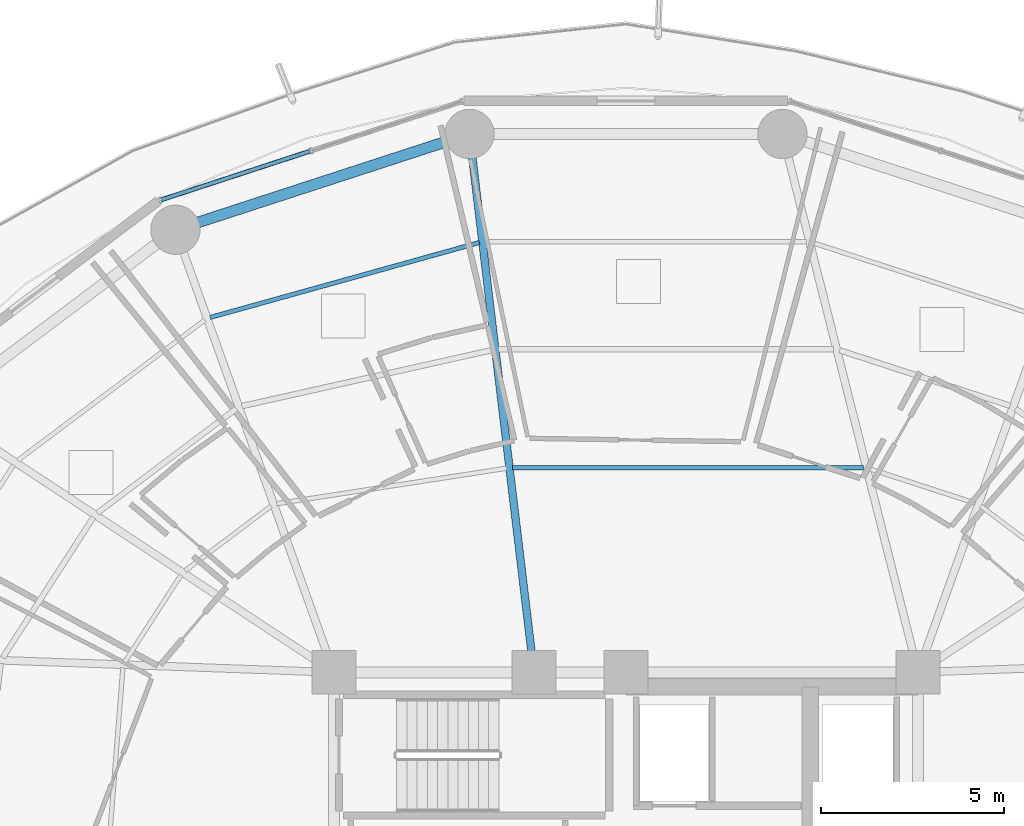
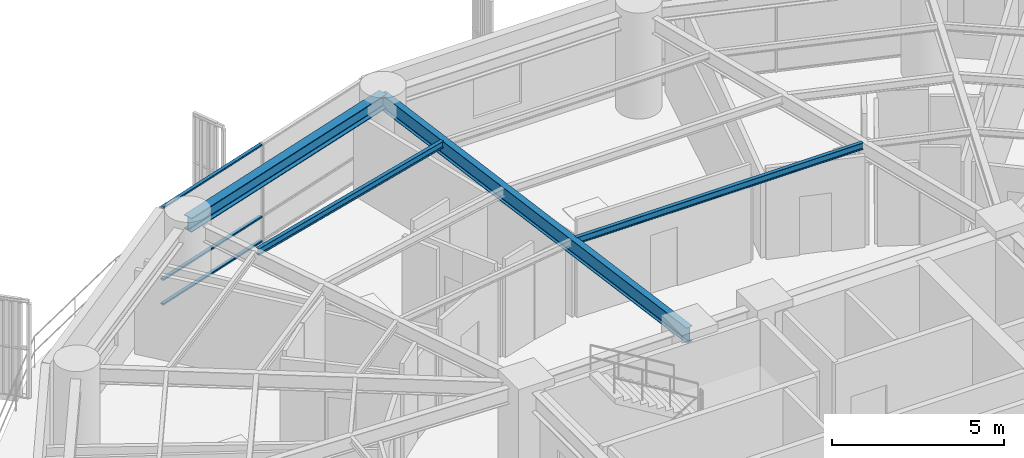
# One storey, part 21 of 36: 4 beams, 3 members, 1 element without a shape of its own.
"""IFC4 building model written with IfcOpenShell, lengths in metres."""

from ifc_helpers import new_model, si_unit, direction, frame, origin, origin_2d, place, context, subcontext, project, spatial, hollow_rectangle, i_section, extrude, material, layer, layer_set, material_profile, profile_set, type_object, element, aggregate, save


model = new_model("IFC4")

# Units and contexts
model_context = context("Model", 3, precision=1e-05, world=origin(), true_north=direction((0.0, 1.0)))
body_context = subcontext(model_context, "Body", "Model", "MODEL_VIEW")
ifc_project = project(units=[si_unit("LENGTHUNIT", "METRE"), si_unit("AREAUNIT", "SQUARE_METRE"), si_unit("VOLUMEUNIT", "CUBIC_METRE"), si_unit("PLANEANGLEUNIT", "RADIAN"), si_unit("MASSUNIT", "GRAM", prefix="KILO")], contexts=[model_context])

# Site, building, storey
site_placement = place(None, origin())
site = spatial("IfcSite", under=ifc_project, at=site_placement, CompositionType="ELEMENT")
building_placement = place(site_placement, origin())
building = spatial("IfcBuilding", under=site, at=building_placement, Name="Kelanora Arch Commons", CompositionType="ELEMENT")
storey_placement = place(building_placement, frame((0.0, 0.0, 102.60009765625)))
storey = spatial("IfcBuildingStorey", under=building, at=storey_placement, Name="L26", CompositionType="ELEMENT", Elevation=102.60009765625)

# Beams
ifc_material_1 = material(Name="Steel S355", Category="steel")
ifc_material_profile_1 = material_profile(ifc_material_1, i_section(OverallWidth=0.1201171875, OverallDepth=0.239990234375, WebThickness=0.006103515625, FlangeThickness=0.009765625, FilletRadius=0.014892578125, at=origin_2d()), Name="IPE240")
ifc_profile_set_1 = profile_set([ifc_material_profile_1], Name="Steel S355")
beam_type_1 = type_object("IfcBeamType", Name="BM-JST-02", PredefinedType="JOIST", material=ifc_profile_set_1)
beam_1_placement = place(storey_placement, frame((80.50341796875, 70.602783203125, 3.369873046875), z_axis=(-1.0, 0.0, 0.0), x_axis=(0.0, -1.0, 0.0)))
element("IfcBeam", 1, at=beam_1_placement, inside=storey, type_object=beam_type_1, Name="Secondary Chord Joist BJA-08 L26", PredefinedType="JOIST", context=body_context, shape_type="SweptSolid", body=[
    extrude(i_section(OverallWidth=0.1201171875, OverallDepth=0.239990234375, WebThickness=0.006103515625, FlangeThickness=0.009765625, FilletRadius=0.014892578125, at=origin_2d()), origin(), (0.0, 0.0, 1.0), 9.609375),
])
beam_2_placement = place(storey_placement, frame((69.985595703125, 76.77294921875, 3.369873046875), z_axis=(-0.963385760896, -0.268119144603, 0.0), x_axis=(0.268119144603, -0.963385760896, 0.0)))
element("IfcBeam", 2, at=beam_2_placement, inside=storey, type_object=beam_type_1, Name="Secondary Chord Joist BJC-10 L26", PredefinedType="JOIST", context=body_context, shape_type="SweptSolid", body=[
    extrude(i_section(OverallWidth=0.1201171875, OverallDepth=0.239990234375, WebThickness=0.006103515625, FlangeThickness=0.009765625, FilletRadius=0.014892578125, at=origin_2d()), origin(), (0.0, 0.0, 1.0), 7.656005859375),
])
ifc_material_profile_2 = material_profile(ifc_material_1, i_section(OverallWidth=0.2099609375, OverallDepth=0.550048828125, WebThickness=0.010986328125, FlangeThickness=0.01708984375, FilletRadius=0.02392578125, at=origin_2d()), Name="IPE550")
ifc_profile_set_2 = profile_set([ifc_material_profile_2], Name="Steel S355")
beam_type_2 = type_object("IfcBeamType", Name="BM-RAD-Z2", PredefinedType="BEAM", material=ifc_profile_set_2)
beam_3_placement = place(storey_placement, frame((71.47998046875, 65.0, 3.21484375), z_axis=(-0.118897572414, 0.992906524943, 0.0), x_axis=(-0.992906524943, -0.118897572414, 0.0)))
element("IfcBeam", 3, at=beam_3_placement, inside=storey, type_object=beam_type_2, Name="Radial Floor Girder BR-10 L26", PredefinedType="BEAM", context=body_context, shape_type="SweptSolid", body=[
    extrude(i_section(OverallWidth=0.2099609375, OverallDepth=0.550048828125, WebThickness=0.010986328125, FlangeThickness=0.01708984375, FilletRadius=0.02392578125, at=origin_2d()), origin(), (0.0, 0.0, 1.0), 14.849853515625),
])
ifc_material_profile_3 = material_profile(ifc_material_1, i_section(OverallWidth=0.300048828125, OverallDepth=0.5, WebThickness=0.014404296875, FlangeThickness=0.028076171875, FilletRadius=0.027099609375, at=origin_2d()), Name="HEB500")
ifc_profile_set_3 = profile_set([ifc_material_profile_3], Name="Steel S355")
beam_type_3 = type_object("IfcBeamType", Name="BM-SPN-Z2", PredefinedType="SPANDREL", material=ifc_profile_set_3)
beam_4_placement = place(storey_placement, frame((69.71435546875, 79.74462890625, 3.239990234375), z_axis=(-0.950856631974, -0.309631499418, 0.0), x_axis=(0.309631499418, -0.950856631974, 0.0)))
element("IfcBeam", 4, at=beam_4_placement, inside=storey, type_object=beam_type_3, Name="Perimeter Spandrel Beam BS-10 L26", PredefinedType="SPANDREL", context=body_context, shape_type="SweptSolid", body=[
    extrude(i_section(OverallWidth=0.300048828125, OverallDepth=0.5, WebThickness=0.014404296875, FlangeThickness=0.028076171875, FilletRadius=0.027099609375, at=origin_2d()), origin(), (0.0, 0.0, 1.0), 8.470703125),
])

# Curtain wall, members
ifc_material_2 = material(Name="Terracotta ceramic-fritted low-E glass and aluminium", Category="masonry")
ifc_layer = layer(ifc_material_2, 0.159912109375)
ifc_layer_set = layer_set([ifc_layer], Name="Terracotta ceramic-fritted low-E glass and aluminium")
curtain_wall_type = type_object("IfcCurtainWallType", Name="CW-SYS-01", PredefinedType="NOTDEFINED", material=ifc_layer_set)
curtain_wall_placement = place(storey_placement, origin())
curtain_wall = element("IfcCurtainWall", 5, at=curtain_wall_placement, inside=storey, type_object=curtain_wall_type, Name="Unitised Curtain Wall L26-B05", PredefinedType="NOTDEFINED")
ifc_material_3 = material(Name="Powder-coated aluminium terracotta", Category="masonry")
ifc_material_profile_4 = material_profile(ifc_material_3, hollow_rectangle(XDim=0.1201171875, YDim=0.06005859375, WallThickness=0.0048828125, InnerFilletRadius=0.0048828125, OuterFilletRadius=0.010009765625, at=origin_2d()), Name="CWT120x60")
ifc_profile_set_4 = profile_set([ifc_material_profile_4], Name="Powder-coated aluminium terracotta")
member_type = type_object("IfcMemberType", Name="CWT-STD", PredefinedType="USERDEFINED", material=ifc_profile_set_4)
member_1_placement = place(storey_placement, frame((65.348876953125, 79.275390625, 0.02978515625), z_axis=(-0.950466230394, -0.310827838008, 0.0), x_axis=(0.310827838008, -0.950466230394, 0.0)))
member_1 = element("IfcMember", 6, at=member_1_placement, type_object=member_type, Name="CW-01 transom 2.1", ObjectType="TRANSOM", PredefinedType="USERDEFINED", context=body_context, shape_type="SweptSolid", body=[
    extrude(hollow_rectangle(XDim=0.1201171875, YDim=0.06005859375, WallThickness=0.0048828125, InnerFilletRadius=0.0048828125, OuterFilletRadius=0.010009765625, at=origin_2d()), origin(), (0.0, 0.0, 1.0), 4.2900390625),
])
member_2_placement = place(storey_placement, frame((65.348876953125, 79.275390625, 0.89990234375), z_axis=(-0.950466230394, -0.310827838008, 0.0), x_axis=(0.310827838008, -0.950466230394, 0.0)))
member_2 = element("IfcMember", 7, at=member_2_placement, type_object=member_type, Name="CW-01 transom 2.2", ObjectType="TRANSOM", PredefinedType="USERDEFINED", context=body_context, shape_type="SweptSolid", body=[
    extrude(hollow_rectangle(XDim=0.1201171875, YDim=0.06005859375, WallThickness=0.0048828125, InnerFilletRadius=0.0048828125, OuterFilletRadius=0.010009765625, at=origin_2d()), origin(), (0.0, 0.0, 1.0), 4.2900390625),
])
member_3_placement = place(storey_placement, frame((65.348876953125, 79.275390625, 3.44482421875), z_axis=(-0.950466230394, -0.310827838008, 0.0), x_axis=(0.310827838008, -0.950466230394, 0.0)))
member_3 = element("IfcMember", 8, at=member_3_placement, type_object=member_type, Name="CW-01 transom 2.3", ObjectType="TRANSOM", PredefinedType="USERDEFINED", context=body_context, shape_type="SweptSolid", body=[
    extrude(hollow_rectangle(XDim=0.1201171875, YDim=0.06005859375, WallThickness=0.0048828125, InnerFilletRadius=0.0048828125, OuterFilletRadius=0.010009765625, at=origin_2d()), origin(), (0.0, 0.0, 1.0), 4.2900390625),
])
aggregate(curtain_wall, [member_1, member_2, member_3])

save(model, "model.ifc")
